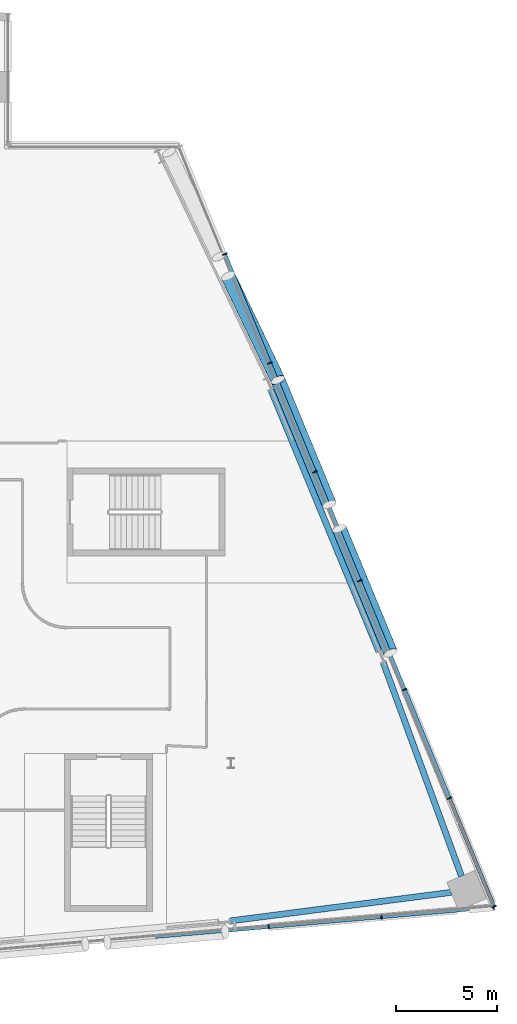
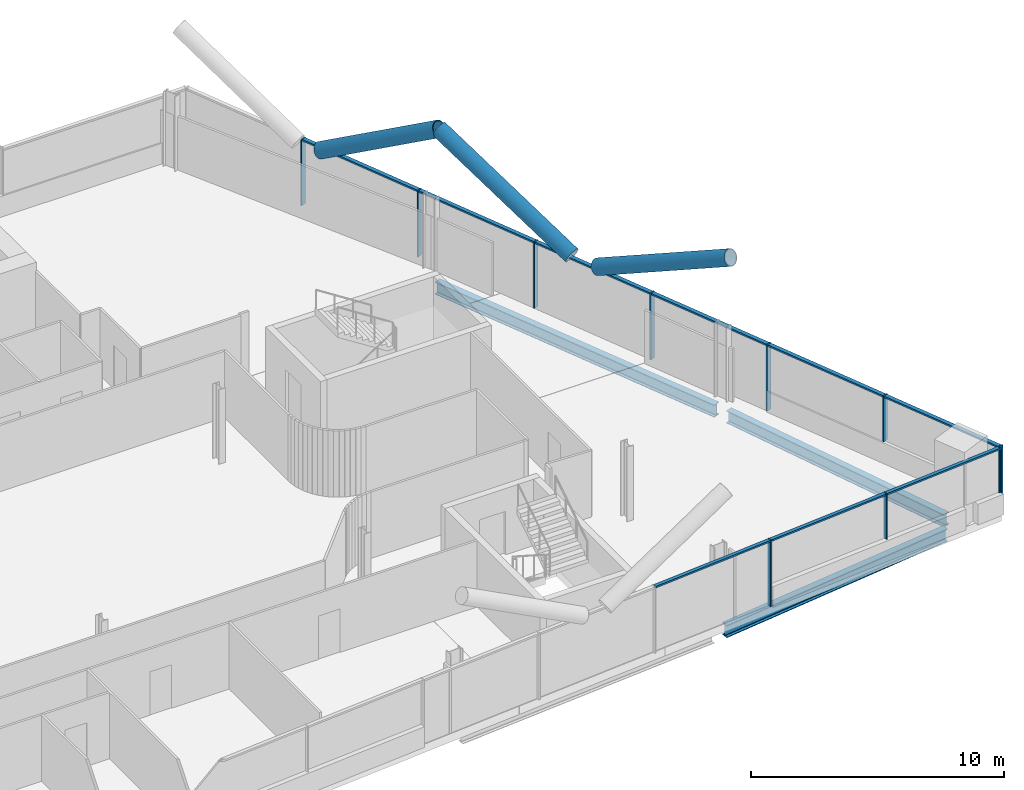
# One storey, part 11 of 27: 22 members, 3 beams, 2 elements without a shape of their own.
"""IFC4 building model written with IfcOpenShell, lengths in metres."""

from ifc_helpers import new_model, si_unit, direction, frame, origin, origin_2d, place, context, subcontext, project, spatial, rectangle, hollow_circle, i_section, extrude, material, material_profile, profile_set, type_object, element, aggregate, save


model = new_model("IFC4")

# Units and contexts
model_context = context("Model", 3, precision=1e-05, world=origin(), true_north=direction((0.0, 1.0)))
body_context = subcontext(model_context, "Body", "Model", "MODEL_VIEW")
ifc_project = project(units=[si_unit("LENGTHUNIT", "METRE"), si_unit("AREAUNIT", "SQUARE_METRE"), si_unit("VOLUMEUNIT", "CUBIC_METRE"), si_unit("PLANEANGLEUNIT", "RADIAN"), si_unit("MASSUNIT", "GRAM", prefix="KILO")], contexts=[model_context])

# Site, building, storey
site_placement = place(None, origin())
site = spatial("IfcSite", under=ifc_project, at=site_placement, CompositionType="ELEMENT")
building_placement = place(site_placement, origin())
building = spatial("IfcBuilding", under=site, at=building_placement, Name="Wharfspan Tower", CompositionType="ELEMENT")
storey_placement = place(building_placement, frame((0.0, 0.0, 159.100098)))
storey = spatial("IfcBuildingStorey", under=building, at=storey_placement, Name="L38", CompositionType="ELEMENT", Elevation=159.100098)

# Beams
ifc_material_1 = material(Name="Steel S355J2", Category="steel")
ifc_material_profile_1 = material_profile(ifc_material_1, i_section(OverallWidth=0.300049, OverallDepth=0.600098, WebThickness=0.015381, FlangeThickness=0.030029, FilletRadius=0.0271, at=origin_2d()))
ifc_profile_set_1 = profile_set([ifc_material_profile_1], Name="Steel S355J2")
beam_type = type_object("IfcBeamType", Name="Edge beam HEB 600", PredefinedType="SPANDREL", material=ifc_profile_set_1)
beam_1_placement = place(storey_placement, frame((71.965576, 3.724121, -0.700195), z_axis=(0.991764, 0.128077, 0.0), x_axis=(-0.128077, 0.991764, 0.0)))
element("IfcBeam", 1, at=beam_1_placement, inside=storey, type_object=beam_type, Name="Edge beam S2 L38 PS2.2 to MC4", PredefinedType="SPANDREL", context=body_context, shape_type="SweptSolid", body=[
    extrude(i_section(OverallWidth=0.300049, OverallDepth=0.600098, WebThickness=0.015381, FlangeThickness=0.030029, FilletRadius=0.0271, at=origin_2d()), origin(), (0.0, 0.0, 1.0), 10.991211),
])
beam_2_placement = place(storey_placement, frame((83.375732, 5.931885, -0.700195), z_axis=(-0.343871, 0.939017, 0.0), x_axis=(-0.939017, -0.343871, 0.0)))
element("IfcBeam", 2, at=beam_2_placement, inside=storey, type_object=beam_type, Name="Edge beam E L38 MC4 to PE.1", PredefinedType="SPANDREL", context=body_context, shape_type="SweptSolid", body=[
    extrude(i_section(OverallWidth=0.300049, OverallDepth=0.600098, WebThickness=0.015381, FlangeThickness=0.030029, FilletRadius=0.0271, at=origin_2d()), origin(), (0.0, 0.0, 1.0), 11.226807),
])
beam_3_placement = place(storey_placement, frame((79.292969, 17.044434, -0.700195), z_axis=(-0.381593, 0.92433, 0.0), x_axis=(-0.92433, -0.381593, 0.0)))
element("IfcBeam", 3, at=beam_3_placement, inside=storey, type_object=beam_type, Name="Edge beam E L38 PE.1 to PE.2", PredefinedType="SPANDREL", context=body_context, shape_type="SweptSolid", body=[
    extrude(i_section(OverallWidth=0.300049, OverallDepth=0.600098, WebThickness=0.015381, FlangeThickness=0.030029, FilletRadius=0.0271, at=origin_2d()), origin(), (0.0, 0.0, 1.0), 13.94751),
])

# Curtain wall, members
ifc_material_2 = material(Name="Aluminium 6063-T6", Category="aluminium")
curtain_wall_type_1 = type_object("IfcCurtainWallType", Name="CURTAIN WALL FACETED FRONT", PredefinedType="NOTDEFINED", material=ifc_material_2)
curtain_wall_1_placement = place(storey_placement, origin())
curtain_wall_1 = element("IfcCurtainWall", 4, at=curtain_wall_1_placement, inside=storey, type_object=curtain_wall_type_1, Name="Curtain wall S2", PredefinedType="NOTDEFINED")
ifc_material_profile_2 = material_profile(ifc_material_2, rectangle(XDim=0.199951, YDim=0.060059, at=origin_2d()))
ifc_profile_set_2 = profile_set([ifc_material_profile_2], Name="Aluminium 6063-T6")
member_type_1 = type_object("IfcMemberType", Name="MULLION FACETED FRONT 60x200", PredefinedType="MULLION", material=ifc_profile_set_2)
member_1_placement = place(storey_placement, frame((73.857178, 3.425049, 0.0), z_axis=(0.0, 0.0, 1.0), x_axis=(-0.087156, 0.996198, 0.0)))
member_1 = element("IfcMember", 5, at=member_1_placement, type_object=member_type_1, Name="Curtain wall S2 mullion 6", PredefinedType="MULLION", context=body_context, shape_type="SweptSolid", body=[
    extrude(rectangle(XDim=0.199951, YDim=0.060059, at=origin_2d()), origin(), (0.0, 0.0, 1.0), 3.199951),
])
member_2_placement = place(storey_placement, frame((79.428467, 3.912598, 1.0), z_axis=(0.0, 0.0, 1.0), x_axis=(-0.087156, 0.996198, 0.0)))
member_2 = element("IfcMember", 6, at=member_2_placement, type_object=member_type_1, Name="Curtain wall S2 mullion 7", PredefinedType="MULLION", context=body_context, shape_type="SweptSolid", body=[
    extrude(rectangle(XDim=0.199951, YDim=0.060059, at=origin_2d()), origin(), (0.0, 0.0, 1.0), 2.199951),
])
member_3_placement = place(storey_placement, frame((84.970215, 4.397461, 1.0), z_axis=(0.0, 0.0, 1.0), x_axis=(-0.087156, 0.996198, 0.0)))
member_3 = element("IfcMember", 7, at=member_3_placement, type_object=member_type_1, Name="Curtain wall S2 mullion 8", PredefinedType="MULLION", context=body_context, shape_type="SweptSolid", body=[
    extrude(rectangle(XDim=0.199951, YDim=0.060059, at=origin_2d()), origin(), (0.0, 0.0, 1.0), 2.199951),
])

curtain_wall_type_2 = type_object("IfcCurtainWallType", Name="CURTAIN WALL PROW AND END", PredefinedType="NOTDEFINED", material=ifc_material_2)
curtain_wall_2_placement = place(storey_placement, origin())
curtain_wall_2 = element("IfcCurtainWall", 8, at=curtain_wall_2_placement, inside=storey, type_object=curtain_wall_type_2, Name="Curtain wall E", PredefinedType="NOTDEFINED")
ifc_material_profile_3 = material_profile(ifc_material_2, rectangle(XDim=0.23999, YDim=0.060059, at=origin_2d()))
ifc_profile_set_3 = profile_set([ifc_material_profile_3], Name="Aluminium 6063-T6")
member_type_2 = type_object("IfcMemberType", Name="MULLION PROW AND END 60x240", PredefinedType="MULLION", material=ifc_profile_set_3)
member_4_placement = place(storey_placement, frame((84.988525, 4.427734, 1.0), z_axis=(0.0, 0.0, 1.0), x_axis=(-0.924325, -0.381602, 0.0)))
member_4 = element("IfcMember", 9, at=member_4_placement, type_object=member_type_2, Name="Curtain wall E mullion 1", PredefinedType="MULLION", context=body_context, shape_type="SweptSolid", body=[
    extrude(rectangle(XDim=0.23999, YDim=0.060059, at=origin_2d()), origin(), (0.0, 0.0, 1.0), 2.199951),
])
member_5_placement = place(storey_placement, frame((82.782471, 9.771484, 1.0), z_axis=(0.0, 0.0, 1.0), x_axis=(-0.924325, -0.381602, 0.0)))
member_5 = element("IfcMember", 10, at=member_5_placement, type_object=member_type_2, Name="Curtain wall E mullion 2", PredefinedType="MULLION", context=body_context, shape_type="SweptSolid", body=[
    extrude(rectangle(XDim=0.23999, YDim=0.060059, at=origin_2d()), origin(), (0.0, 0.0, 1.0), 2.199951),
])
member_6_placement = place(storey_placement, frame((80.564941, 15.142822, 0.0), z_axis=(0.0, 0.0, 1.0), x_axis=(-0.924325, -0.381602, 0.0)))
member_6 = element("IfcMember", 11, at=member_6_placement, type_object=member_type_2, Name="Curtain wall E mullion 3", PredefinedType="MULLION", context=body_context, shape_type="SweptSolid", body=[
    extrude(rectangle(XDim=0.23999, YDim=0.060059, at=origin_2d()), origin(), (0.0, 0.0, 1.0), 3.199951),
])
member_7_placement = place(storey_placement, frame((78.347412, 20.514404, 0.0), z_axis=(0.0, 0.0, 1.0), x_axis=(-0.924325, -0.381602, 0.0)))
member_7 = element("IfcMember", 12, at=member_7_placement, type_object=member_type_2, Name="Curtain wall E mullion 4", PredefinedType="MULLION", context=body_context, shape_type="SweptSolid", body=[
    extrude(rectangle(XDim=0.23999, YDim=0.060059, at=origin_2d()), origin(), (0.0, 0.0, 1.0), 3.199951),
])
member_8_placement = place(storey_placement, frame((76.129639, 25.885742, 0.0), z_axis=(0.0, 0.0, 1.0), x_axis=(-0.924325, -0.381602, 0.0)))
member_8 = element("IfcMember", 13, at=member_8_placement, type_object=member_type_2, Name="Curtain wall E mullion 5", PredefinedType="MULLION", context=body_context, shape_type="SweptSolid", body=[
    extrude(rectangle(XDim=0.23999, YDim=0.060059, at=origin_2d()), origin(), (0.0, 0.0, 1.0), 3.199951),
])
member_9_placement = place(storey_placement, frame((73.912109, 31.25708, 0.0), z_axis=(0.0, 0.0, 1.0), x_axis=(-0.924325, -0.381602, 0.0)))
member_9 = element("IfcMember", 14, at=member_9_placement, type_object=member_type_2, Name="Curtain wall E mullion 6", PredefinedType="MULLION", context=body_context, shape_type="SweptSolid", body=[
    extrude(rectangle(XDim=0.23999, YDim=0.060059, at=origin_2d()), origin(), (0.0, 0.0, 1.0), 3.199951),
])
member_10_placement = place(storey_placement, frame((71.69458, 36.628662, 0.0), z_axis=(0.0, 0.0, 1.0), x_axis=(-0.924325, -0.381602, 0.0)))
member_10 = element("IfcMember", 15, at=member_10_placement, type_object=member_type_2, Name="Curtain wall E mullion 7", PredefinedType="MULLION", context=body_context, shape_type="SweptSolid", body=[
    extrude(rectangle(XDim=0.23999, YDim=0.060059, at=origin_2d()), origin(), (0.0, 0.0, 1.0), 3.199951),
])

# Members
ifc_material_3 = material(Name="Steel S460NH", Category="steel")
ifc_material_profile_4 = material_profile(ifc_material_3, hollow_circle(Radius=0.355469, WallThickness=0.035889, at=origin_2d()))
ifc_profile_set_4 = profile_set([ifc_material_profile_4], Name="Steel S460NH")
member_type_3 = type_object("IfcMemberType", Name="Mega brace CHS 711x36", PredefinedType="BRACE", material=ifc_profile_set_4)
member_11_placement = place(storey_placement, frame((76.854248, 24.275146, 3.216553), z_axis=(-0.342079, 0.828531, 0.443305), x_axis=(-0.924316, -0.381624, -4e-06)))
element("IfcMember", 16, at=member_11_placement, inside=storey, type_object=member_type_3, Name="Mega brace E5 L38 part 2", PredefinedType="BRACE", context=body_context, shape_type="SweptSolid", body=[
    extrude(hollow_circle(Radius=0.355469, WallThickness=0.035889, at=origin_2d()), origin(), (0.0, 0.0, 1.0), 7.406738),
])
member_12_placement = place(storey_placement, frame((77.343018, 23.091309, 3.216553), z_axis=(0.34204, -0.82855, 0.443298), x_axis=(0.924336, 0.38158, -4e-06)))
element("IfcMember", 17, at=member_12_placement, inside=storey, type_object=member_type_3, Name="Mega brace E5 L38 part 4", PredefinedType="BRACE", context=body_context, shape_type="SweptSolid", body=[
    extrude(hollow_circle(Radius=0.355469, WallThickness=0.035889, at=origin_2d()), origin(), (0.0, 0.0, 1.0), 7.406982),
])
member_13_placement = place(storey_placement, frame((71.858154, 35.550537, 3.205566), z_axis=(0.374112, -0.780716, 0.500522), x_axis=(0.901807, 0.432139, 2e-06)))
element("IfcMember", 18, at=member_13_placement, inside=storey, type_object=member_type_3, Name="Mega brace E6 L38 part 4", PredefinedType="BRACE", context=body_context, shape_type="SweptSolid", body=[
    extrude(hollow_circle(Radius=0.355469, WallThickness=0.035889, at=origin_2d()), origin(), (0.0, 0.0, 1.0), 6.582031),
])

# Member
ifc_material_profile_5 = material_profile(ifc_material_2, rectangle(XDim=0.159912, YDim=0.080078, at=origin_2d()))
ifc_profile_set_5 = profile_set([ifc_material_profile_5], Name="Aluminium 6063-T6")
member_type_4 = type_object("IfcMemberType", Name="TRANSOM FACETED FRONT 80x160", PredefinedType="USERDEFINED", material=ifc_profile_set_5)
member_14_placement = place(storey_placement, frame((68.315674, 2.940186, 3.159912), z_axis=(0.996191, 0.087197, 0.0), x_axis=(-0.087197, 0.996191, 0.0)))
member_14 = element("IfcMember", 19, at=member_14_placement, type_object=member_type_4, Name="Curtain wall S2 transom 5", ObjectType="TRANSOM", PredefinedType="USERDEFINED", context=body_context, shape_type="SweptSolid", body=[
    extrude(rectangle(XDim=0.159912, YDim=0.080078, at=origin_2d()), origin(), (0.0, 0.0, 1.0), 5.532471),
])

member_15_placement = place(storey_placement, frame((73.886963, 3.427734, 3.159912), z_axis=(0.996195, 0.087149, 0.0), x_axis=(-0.087149, 0.996195, 0.0)))
member_15 = element("IfcMember", 20, at=member_15_placement, type_object=member_type_4, Name="Curtain wall S2 transom 6", ObjectType="TRANSOM", PredefinedType="USERDEFINED", context=body_context, shape_type="SweptSolid", body=[
    extrude(rectangle(XDim=0.159912, YDim=0.080078, at=origin_2d()), origin(), (0.0, 0.0, 1.0), 5.532715),
])

member_16_placement = place(storey_placement, frame((79.458496, 3.915283, 3.159912), z_axis=(0.996196, 0.087139, 0.0), x_axis=(-0.087139, 0.996196, 0.0)))
member_16 = element("IfcMember", 21, at=member_16_placement, type_object=member_type_4, Name="Curtain wall S2 transom 7", ObjectType="TRANSOM", PredefinedType="USERDEFINED", context=body_context, shape_type="SweptSolid", body=[
    extrude(rectangle(XDim=0.159912, YDim=0.080078, at=origin_2d()), origin(), (0.0, 0.0, 1.0), 5.502686),
])

aggregate(curtain_wall_1, [member_1, member_2, member_3, member_14, member_15, member_16])

ifc_material_profile_6 = material_profile(ifc_material_2, rectangle(XDim=0.179932, YDim=0.080078, at=origin_2d()))
ifc_profile_set_6 = profile_set([ifc_material_profile_6], Name="Aluminium 6063-T6")
member_type_5 = type_object("IfcMemberType", Name="TRANSOM PROW AND END 80x180", PredefinedType="USERDEFINED", material=ifc_profile_set_6)
member_17_placement = place(storey_placement, frame((84.977051, 4.455566, 3.159912), z_axis=(-0.381595, 0.924329, 0.0), x_axis=(-0.924329, -0.381595, 0.0)))
member_17 = element("IfcMember", 22, at=member_17_placement, type_object=member_type_5, Name="Curtain wall E transom 1", ObjectType="TRANSOM", PredefinedType="USERDEFINED", context=body_context, shape_type="SweptSolid", body=[
    extrude(rectangle(XDim=0.179932, YDim=0.080078, at=origin_2d()), origin(), (0.0, 0.0, 1.0), 5.720947),
])

member_18_placement = place(storey_placement, frame((82.770996, 9.799072, 3.159912), z_axis=(-0.381578, 0.924337, 0.0), x_axis=(-0.924337, -0.381578, 0.0)))
member_18 = element("IfcMember", 23, at=member_18_placement, type_object=member_type_5, Name="Curtain wall E transom 2", ObjectType="TRANSOM", PredefinedType="USERDEFINED", context=body_context, shape_type="SweptSolid", body=[
    extrude(rectangle(XDim=0.179932, YDim=0.080078, at=origin_2d()), origin(), (0.0, 0.0, 1.0), 5.751221),
])

member_19_placement = place(storey_placement, frame((80.553467, 15.170654, 3.159912), z_axis=(-0.381629, 0.924315, 0.0), x_axis=(-0.924315, -0.381629, 0.0)))
member_19 = element("IfcMember", 24, at=member_19_placement, type_object=member_type_5, Name="Curtain wall E transom 3", ObjectType="TRANSOM", PredefinedType="USERDEFINED", context=body_context, shape_type="SweptSolid", body=[
    extrude(rectangle(XDim=0.179932, YDim=0.080078, at=origin_2d()), origin(), (0.0, 0.0, 1.0), 5.751221),
])

member_20_placement = place(storey_placement, frame((78.335938, 20.541992, 3.159912), z_axis=(-0.381629, 0.924315, 0.0), x_axis=(-0.924315, -0.381629, 0.0)))
member_20 = element("IfcMember", 25, at=member_20_placement, type_object=member_type_5, Name="Curtain wall E transom 4", ObjectType="TRANSOM", PredefinedType="USERDEFINED", context=body_context, shape_type="SweptSolid", body=[
    extrude(rectangle(XDim=0.179932, YDim=0.080078, at=origin_2d()), origin(), (0.0, 0.0, 1.0), 5.751221),
])

member_21_placement = place(storey_placement, frame((76.118408, 25.91333, 3.159912), z_axis=(-0.381614, 0.924322, 0.0), x_axis=(-0.924322, -0.381614, 0.0)))
member_21 = element("IfcMember", 26, at=member_21_placement, type_object=member_type_5, Name="Curtain wall E transom 5", ObjectType="TRANSOM", PredefinedType="USERDEFINED", context=body_context, shape_type="SweptSolid", body=[
    extrude(rectangle(XDim=0.179932, YDim=0.080078, at=origin_2d()), origin(), (0.0, 0.0, 1.0), 5.751465),
])

member_22_placement = place(storey_placement, frame((73.900635, 31.284912, 3.159912), z_axis=(-0.381593, 0.92433, 0.0), x_axis=(-0.92433, -0.381593, 0.0)))
member_22 = element("IfcMember", 27, at=member_22_placement, type_object=member_type_5, Name="Curtain wall E transom 6", ObjectType="TRANSOM", PredefinedType="USERDEFINED", context=body_context, shape_type="SweptSolid", body=[
    extrude(rectangle(XDim=0.179932, YDim=0.080078, at=origin_2d()), origin(), (0.0, 0.0, 1.0), 5.751221),
])

aggregate(curtain_wall_2, [member_4, member_5, member_6, member_7, member_8, member_9, member_10, member_17, member_18, member_19, member_20, member_21, member_22])

save(model, "model.ifc")
